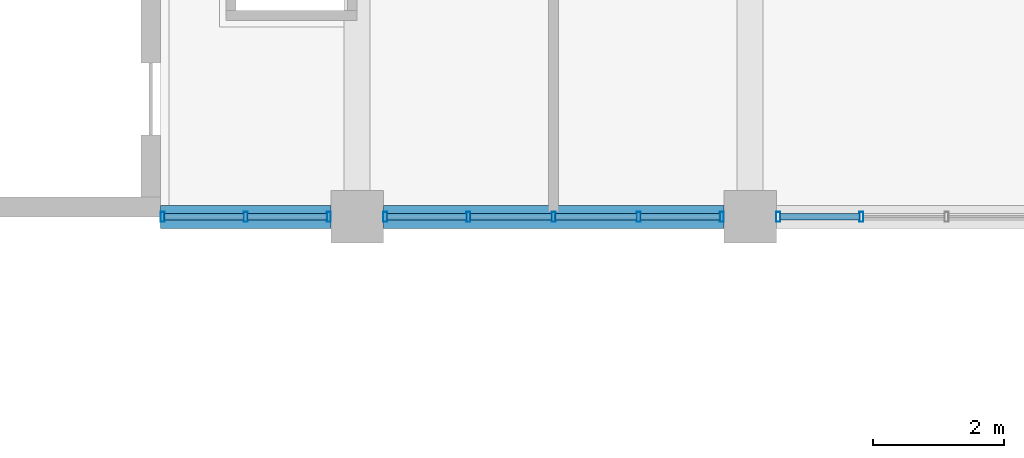
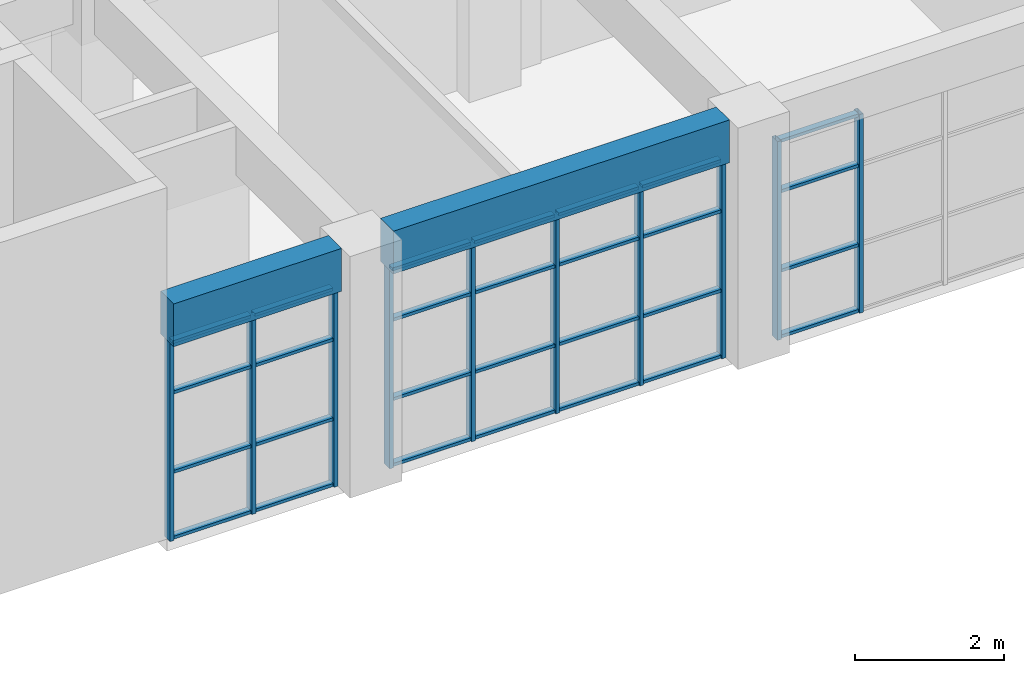
# One storey, part 4 of 51: 38 members, 2 beams, 3 elements without a shape of their own.
"""IFC4 building model written with IfcOpenShell, lengths in metres."""

from ifc_helpers import new_model, si_unit, direction, frame, origin, origin_2d, place, context, subcontext, project, spatial, rectangle, hollow_rectangle, extrude, material, material_profile, profile_set, type_object, element, aggregate, save


model = new_model("IFC4")

# Units and contexts
model_context = context("Model", 3, precision=1e-05, world=origin(), true_north=direction((0.0, 1.0)))
body_context = subcontext(model_context, "Body", "Model", "MODEL_VIEW")
ifc_project = project(units=[si_unit("LENGTHUNIT", "METRE"), si_unit("AREAUNIT", "SQUARE_METRE"), si_unit("VOLUMEUNIT", "CUBIC_METRE"), si_unit("PLANEANGLEUNIT", "RADIAN"), si_unit("MASSUNIT", "GRAM", prefix="KILO")], contexts=[model_context])

# Site, building, storey
site_placement = place(None, origin())
site = spatial("IfcSite", under=ifc_project, at=site_placement, CompositionType="ELEMENT")
building_placement = place(site_placement, origin())
building = spatial("IfcBuilding", under=site, at=building_placement, Name="Laocheng Heights Fire and Rescue Headquarters", CompositionType="ELEMENT")
storey_placement = place(building_placement, frame((0.0, 0.0, 21.0)))
storey = spatial("IfcBuildingStorey", under=building, at=storey_placement, Name="L05", CompositionType="ELEMENT", Elevation=21.0)

# Curtain wall, members
ifc_material_1 = material(Name="Dark anodised aluminium unitised curtain wall, low-e double glazing", Category="aluminium")
curtain_wall_type_1 = type_object("IfcCurtainWallType", Name="CW 2600 x 3250 HQ SOUTH RIBBON", PredefinedType="NOTDEFINED", material=ifc_material_1)
curtain_wall_1_placement = place(storey_placement, origin())
curtain_wall_1 = element("IfcCurtainWall", 1, at=curtain_wall_1_placement, inside=storey, type_object=curtain_wall_type_1, Name="X15-X HQ SOUTH L05", PredefinedType="NOTDEFINED")
ifc_material_2 = material(Name="Dark anodised aluminium 6063-T5 extrusion", Category="aluminium")
ifc_material_profile_1 = material_profile(ifc_material_2, hollow_rectangle(XDim=0.14990234375, YDim=0.06005859375, WallThickness=0.0029296875, at=origin_2d()), Name="AL MULLION 150x60x3 HQ SOUTH RIBBON")
ifc_profile_set_1 = profile_set([ifc_material_profile_1], Name="Dark anodised aluminium 6063-T5 extrusion")
member_type_1 = type_object("IfcMemberType", Name="AL MULLION 150x60x3 HQ SOUTH RIBBON", PredefinedType="MULLION", material=ifc_profile_set_1)
member_1_placement = place(storey_placement, frame((51.030029296875, 50.39990234375, 0.0), z_axis=(0.0, 0.0, 1.0), x_axis=(0.0, 1.0, 0.0)))
member_1 = element("IfcMember", 2, at=member_1_placement, type_object=member_type_1, Name="X15-X mullion 1", PredefinedType="MULLION", context=body_context, shape_type="SweptSolid", body=[
    extrude(hollow_rectangle(XDim=0.14990234375, YDim=0.06005859375, WallThickness=0.0029296875, at=origin_2d()), origin(), (0.0, 0.0, 1.0), 3.25),
])
member_2_placement = place(storey_placement, frame((52.300048828125, 50.39990234375, 0.0), z_axis=(0.0, 0.0, 1.0), x_axis=(0.0, 1.0, 0.0)))
member_2 = element("IfcMember", 3, at=member_2_placement, type_object=member_type_1, Name="X15-X mullion 2", PredefinedType="MULLION", context=body_context, shape_type="SweptSolid", body=[
    extrude(hollow_rectangle(XDim=0.14990234375, YDim=0.06005859375, WallThickness=0.0029296875, at=origin_2d()), origin(), (0.0, 0.0, 1.0), 3.25),
])
member_3_placement = place(storey_placement, frame((53.570068359375, 50.39990234375, 0.0), z_axis=(0.0, 0.0, 1.0), x_axis=(0.0, 1.0, 0.0)))
member_3 = element("IfcMember", 4, at=member_3_placement, type_object=member_type_1, Name="X15-X mullion 3", PredefinedType="MULLION", context=body_context, shape_type="SweptSolid", body=[
    extrude(hollow_rectangle(XDim=0.14990234375, YDim=0.06005859375, WallThickness=0.0029296875, at=origin_2d()), origin(), (0.0, 0.0, 1.0), 3.25),
])

ifc_material_3 = material(Name="Dark anodised aluminium unitised curtain wall, low-e double glazing", Category="aluminium")
curtain_wall_type_2 = type_object("IfcCurtainWallType", Name="CW 5200 x 3250 HQ SOUTH RIBBON", PredefinedType="NOTDEFINED", material=ifc_material_3)
curtain_wall_2_placement = place(storey_placement, origin())
curtain_wall_2 = element("IfcCurtainWall", 5, at=curtain_wall_2_placement, inside=storey, type_object=curtain_wall_type_2, Name="X16-X HQ SOUTH L05", PredefinedType="NOTDEFINED")
member_4_placement = place(storey_placement, frame((54.429931640625, 50.39990234375, 0.0), z_axis=(0.0, 0.0, 1.0), x_axis=(0.0, 1.0, 0.0)))
member_4 = element("IfcMember", 6, at=member_4_placement, type_object=member_type_1, Name="X16-X mullion 1", PredefinedType="MULLION", context=body_context, shape_type="SweptSolid", body=[
    extrude(hollow_rectangle(XDim=0.14990234375, YDim=0.06005859375, WallThickness=0.0029296875, at=origin_2d()), origin(), (0.0, 0.0, 1.0), 3.25),
])
member_5_placement = place(storey_placement, frame((55.699951171875, 50.39990234375, 0.0), z_axis=(0.0, 0.0, 1.0), x_axis=(0.0, 1.0, 0.0)))
member_5 = element("IfcMember", 7, at=member_5_placement, type_object=member_type_1, Name="X16-X mullion 2", PredefinedType="MULLION", context=body_context, shape_type="SweptSolid", body=[
    extrude(hollow_rectangle(XDim=0.14990234375, YDim=0.06005859375, WallThickness=0.0029296875, at=origin_2d()), origin(), (0.0, 0.0, 1.0), 3.25),
])
member_6_placement = place(storey_placement, frame((57.0, 50.39990234375, 0.0), z_axis=(0.0, 0.0, 1.0), x_axis=(0.0, 1.0, 0.0)))
member_6 = element("IfcMember", 8, at=member_6_placement, type_object=member_type_1, Name="X16-X mullion 3", PredefinedType="MULLION", context=body_context, shape_type="SweptSolid", body=[
    extrude(hollow_rectangle(XDim=0.14990234375, YDim=0.06005859375, WallThickness=0.0029296875, at=origin_2d()), origin(), (0.0, 0.0, 1.0), 3.25),
])
member_7_placement = place(storey_placement, frame((58.300048828125, 50.39990234375, 0.0), z_axis=(0.0, 0.0, 1.0), x_axis=(0.0, 1.0, 0.0)))
member_7 = element("IfcMember", 9, at=member_7_placement, type_object=member_type_1, Name="X16-X mullion 4", PredefinedType="MULLION", context=body_context, shape_type="SweptSolid", body=[
    extrude(hollow_rectangle(XDim=0.14990234375, YDim=0.06005859375, WallThickness=0.0029296875, at=origin_2d()), origin(), (0.0, 0.0, 1.0), 3.25),
])
member_8_placement = place(storey_placement, frame((59.570068359375, 50.39990234375, 0.0), z_axis=(0.0, 0.0, 1.0), x_axis=(0.0, 1.0, 0.0)))
member_8 = element("IfcMember", 10, at=member_8_placement, type_object=member_type_1, Name="X16-X mullion 5", PredefinedType="MULLION", context=body_context, shape_type="SweptSolid", body=[
    extrude(hollow_rectangle(XDim=0.14990234375, YDim=0.06005859375, WallThickness=0.0029296875, at=origin_2d()), origin(), (0.0, 0.0, 1.0), 3.25),
])

curtain_wall_3_placement = place(storey_placement, origin())
curtain_wall_3 = element("IfcCurtainWall", 11, at=curtain_wall_3_placement, inside=storey, type_object=curtain_wall_type_2, Name="X16-X HQ SOUTH L05", PredefinedType="NOTDEFINED")
member_9_placement = place(storey_placement, frame((60.429931640625, 50.39990234375, 0.0), z_axis=(0.0, 0.0, 1.0), x_axis=(0.0, 1.0, 0.0)))
member_9 = element("IfcMember", 12, at=member_9_placement, type_object=member_type_1, Name="X16-X mullion 1", PredefinedType="MULLION", context=body_context, shape_type="SweptSolid", body=[
    extrude(hollow_rectangle(XDim=0.14990234375, YDim=0.06005859375, WallThickness=0.0029296875, at=origin_2d()), origin(), (0.0, 0.0, 1.0), 3.25),
])
member_10_placement = place(storey_placement, frame((61.699951171875, 50.39990234375, 0.0), z_axis=(0.0, 0.0, 1.0), x_axis=(0.0, 1.0, 0.0)))
member_10 = element("IfcMember", 13, at=member_10_placement, type_object=member_type_1, Name="X16-X mullion 2", PredefinedType="MULLION", context=body_context, shape_type="SweptSolid", body=[
    extrude(hollow_rectangle(XDim=0.14990234375, YDim=0.06005859375, WallThickness=0.0029296875, at=origin_2d()), origin(), (0.0, 0.0, 1.0), 3.25),
])

# Member
ifc_material_4 = material(Name="Dark anodised aluminium 6063-T5 extrusion", Category="aluminium")
ifc_material_profile_2 = material_profile(ifc_material_4, hollow_rectangle(XDim=0.10009765625, YDim=0.050048828125, WallThickness=0.0029296875, at=origin_2d()), Name="AL TRANSOM 100x50x3 HQ SOUTH RIBBON")
ifc_profile_set_2 = profile_set([ifc_material_profile_2], Name="Dark anodised aluminium 6063-T5 extrusion")
member_type_2 = type_object("IfcMemberType", Name="AL TRANSOM 100x50x3 HQ SOUTH RIBBON", PredefinedType="USERDEFINED", material=ifc_profile_set_2)
member_11_placement = place(storey_placement, frame((51.06005859375, 50.39990234375, 0.02490234375), z_axis=(1.0, 0.0, 0.0), x_axis=(0.0, 1.0, 0.0)))
member_11 = element("IfcMember", 14, at=member_11_placement, type_object=member_type_2, Name="X15-X transom 1.1", ObjectType="TRANSOM", PredefinedType="USERDEFINED", context=body_context, shape_type="SweptSolid", body=[
    extrude(hollow_rectangle(XDim=0.10009765625, YDim=0.050048828125, WallThickness=0.0029296875, at=origin_2d()), origin(), (0.0, 0.0, 1.0), 1.2099609375),
])

member_12_placement = place(storey_placement, frame((51.06005859375, 50.39990234375, 1.10009765625), z_axis=(1.0, 0.0, 0.0), x_axis=(0.0, 1.0, 0.0)))
member_12 = element("IfcMember", 15, at=member_12_placement, type_object=member_type_2, Name="X15-X transom 1.2", ObjectType="TRANSOM", PredefinedType="USERDEFINED", context=body_context, shape_type="SweptSolid", body=[
    extrude(hollow_rectangle(XDim=0.10009765625, YDim=0.050048828125, WallThickness=0.0029296875, at=origin_2d()), origin(), (0.0, 0.0, 1.0), 1.2099609375),
])

member_13_placement = place(storey_placement, frame((51.06005859375, 50.39990234375, 2.39990234375), z_axis=(1.0, 0.0, 0.0), x_axis=(0.0, 1.0, 0.0)))
member_13 = element("IfcMember", 16, at=member_13_placement, type_object=member_type_2, Name="X15-X transom 1.3", ObjectType="TRANSOM", PredefinedType="USERDEFINED", context=body_context, shape_type="SweptSolid", body=[
    extrude(hollow_rectangle(XDim=0.10009765625, YDim=0.050048828125, WallThickness=0.0029296875, at=origin_2d()), origin(), (0.0, 0.0, 1.0), 1.2099609375),
])

member_14_placement = place(storey_placement, frame((51.06005859375, 50.39990234375, 3.22509765625), z_axis=(1.0, 0.0, 0.0), x_axis=(0.0, 1.0, 0.0)))
member_14 = element("IfcMember", 17, at=member_14_placement, type_object=member_type_2, Name="X15-X transom 1.4", ObjectType="TRANSOM", PredefinedType="USERDEFINED", context=body_context, shape_type="SweptSolid", body=[
    extrude(hollow_rectangle(XDim=0.10009765625, YDim=0.050048828125, WallThickness=0.0029296875, at=origin_2d()), origin(), (0.0, 0.0, 1.0), 1.2099609375),
])

member_15_placement = place(storey_placement, frame((52.330078125, 50.39990234375, 0.02490234375), z_axis=(1.0, 0.0, 0.0), x_axis=(0.0, 1.0, 0.0)))
member_15 = element("IfcMember", 18, at=member_15_placement, type_object=member_type_2, Name="X15-X transom 2.1", ObjectType="TRANSOM", PredefinedType="USERDEFINED", context=body_context, shape_type="SweptSolid", body=[
    extrude(hollow_rectangle(XDim=0.10009765625, YDim=0.050048828125, WallThickness=0.0029296875, at=origin_2d()), origin(), (0.0, 0.0, 1.0), 1.2099609375),
])

member_16_placement = place(storey_placement, frame((52.330078125, 50.39990234375, 1.10009765625), z_axis=(1.0, 0.0, 0.0), x_axis=(0.0, 1.0, 0.0)))
member_16 = element("IfcMember", 19, at=member_16_placement, type_object=member_type_2, Name="X15-X transom 2.2", ObjectType="TRANSOM", PredefinedType="USERDEFINED", context=body_context, shape_type="SweptSolid", body=[
    extrude(hollow_rectangle(XDim=0.10009765625, YDim=0.050048828125, WallThickness=0.0029296875, at=origin_2d()), origin(), (0.0, 0.0, 1.0), 1.2099609375),
])

member_17_placement = place(storey_placement, frame((52.330078125, 50.39990234375, 2.39990234375), z_axis=(1.0, 0.0, 0.0), x_axis=(0.0, 1.0, 0.0)))
member_17 = element("IfcMember", 20, at=member_17_placement, type_object=member_type_2, Name="X15-X transom 2.3", ObjectType="TRANSOM", PredefinedType="USERDEFINED", context=body_context, shape_type="SweptSolid", body=[
    extrude(hollow_rectangle(XDim=0.10009765625, YDim=0.050048828125, WallThickness=0.0029296875, at=origin_2d()), origin(), (0.0, 0.0, 1.0), 1.2099609375),
])

member_18_placement = place(storey_placement, frame((52.330078125, 50.39990234375, 3.22509765625), z_axis=(1.0, 0.0, 0.0), x_axis=(0.0, 1.0, 0.0)))
member_18 = element("IfcMember", 21, at=member_18_placement, type_object=member_type_2, Name="X15-X transom 2.4", ObjectType="TRANSOM", PredefinedType="USERDEFINED", context=body_context, shape_type="SweptSolid", body=[
    extrude(hollow_rectangle(XDim=0.10009765625, YDim=0.050048828125, WallThickness=0.0029296875, at=origin_2d()), origin(), (0.0, 0.0, 1.0), 1.2099609375),
])

aggregate(curtain_wall_1, [member_1, member_2, member_3, member_11, member_12, member_13, member_14, member_15, member_16, member_17, member_18])

member_19_placement = place(storey_placement, frame((54.4599609375, 50.39990234375, 0.02490234375), z_axis=(1.0, 0.0, 0.0), x_axis=(0.0, 1.0, 0.0)))
member_19 = element("IfcMember", 22, at=member_19_placement, type_object=member_type_2, Name="X16-X transom 1.1", ObjectType="TRANSOM", PredefinedType="USERDEFINED", context=body_context, shape_type="SweptSolid", body=[
    extrude(hollow_rectangle(XDim=0.10009765625, YDim=0.050048828125, WallThickness=0.0029296875, at=origin_2d()), origin(), (0.0, 0.0, 1.0), 1.2099609375),
])

member_20_placement = place(storey_placement, frame((54.4599609375, 50.39990234375, 1.10009765625), z_axis=(1.0, 0.0, 0.0), x_axis=(0.0, 1.0, 0.0)))
member_20 = element("IfcMember", 23, at=member_20_placement, type_object=member_type_2, Name="X16-X transom 1.2", ObjectType="TRANSOM", PredefinedType="USERDEFINED", context=body_context, shape_type="SweptSolid", body=[
    extrude(hollow_rectangle(XDim=0.10009765625, YDim=0.050048828125, WallThickness=0.0029296875, at=origin_2d()), origin(), (0.0, 0.0, 1.0), 1.2099609375),
])

member_21_placement = place(storey_placement, frame((54.4599609375, 50.39990234375, 2.39990234375), z_axis=(1.0, 0.0, 0.0), x_axis=(0.0, 1.0, 0.0)))
member_21 = element("IfcMember", 24, at=member_21_placement, type_object=member_type_2, Name="X16-X transom 1.3", ObjectType="TRANSOM", PredefinedType="USERDEFINED", context=body_context, shape_type="SweptSolid", body=[
    extrude(hollow_rectangle(XDim=0.10009765625, YDim=0.050048828125, WallThickness=0.0029296875, at=origin_2d()), origin(), (0.0, 0.0, 1.0), 1.2099609375),
])

member_22_placement = place(storey_placement, frame((54.4599609375, 50.39990234375, 3.22509765625), z_axis=(1.0, 0.0, 0.0), x_axis=(0.0, 1.0, 0.0)))
member_22 = element("IfcMember", 25, at=member_22_placement, type_object=member_type_2, Name="X16-X transom 1.4", ObjectType="TRANSOM", PredefinedType="USERDEFINED", context=body_context, shape_type="SweptSolid", body=[
    extrude(hollow_rectangle(XDim=0.10009765625, YDim=0.050048828125, WallThickness=0.0029296875, at=origin_2d()), origin(), (0.0, 0.0, 1.0), 1.2099609375),
])

member_23_placement = place(storey_placement, frame((55.72998046875, 50.39990234375, 0.02490234375), z_axis=(1.0, 0.0, 0.0), x_axis=(0.0, 1.0, 0.0)))
member_23 = element("IfcMember", 26, at=member_23_placement, type_object=member_type_2, Name="X16-X transom 2.1", ObjectType="TRANSOM", PredefinedType="USERDEFINED", context=body_context, shape_type="SweptSolid", body=[
    extrude(hollow_rectangle(XDim=0.10009765625, YDim=0.050048828125, WallThickness=0.0029296875, at=origin_2d()), origin(), (0.0, 0.0, 1.0), 1.239990234375),
])

member_24_placement = place(storey_placement, frame((55.72998046875, 50.39990234375, 1.10009765625), z_axis=(1.0, 0.0, 0.0), x_axis=(0.0, 1.0, 0.0)))
member_24 = element("IfcMember", 27, at=member_24_placement, type_object=member_type_2, Name="X16-X transom 2.2", ObjectType="TRANSOM", PredefinedType="USERDEFINED", context=body_context, shape_type="SweptSolid", body=[
    extrude(hollow_rectangle(XDim=0.10009765625, YDim=0.050048828125, WallThickness=0.0029296875, at=origin_2d()), origin(), (0.0, 0.0, 1.0), 1.239990234375),
])

member_25_placement = place(storey_placement, frame((55.72998046875, 50.39990234375, 2.39990234375), z_axis=(1.0, 0.0, 0.0), x_axis=(0.0, 1.0, 0.0)))
member_25 = element("IfcMember", 28, at=member_25_placement, type_object=member_type_2, Name="X16-X transom 2.3", ObjectType="TRANSOM", PredefinedType="USERDEFINED", context=body_context, shape_type="SweptSolid", body=[
    extrude(hollow_rectangle(XDim=0.10009765625, YDim=0.050048828125, WallThickness=0.0029296875, at=origin_2d()), origin(), (0.0, 0.0, 1.0), 1.239990234375),
])

member_26_placement = place(storey_placement, frame((55.72998046875, 50.39990234375, 3.22509765625), z_axis=(1.0, 0.0, 0.0), x_axis=(0.0, 1.0, 0.0)))
member_26 = element("IfcMember", 29, at=member_26_placement, type_object=member_type_2, Name="X16-X transom 2.4", ObjectType="TRANSOM", PredefinedType="USERDEFINED", context=body_context, shape_type="SweptSolid", body=[
    extrude(hollow_rectangle(XDim=0.10009765625, YDim=0.050048828125, WallThickness=0.0029296875, at=origin_2d()), origin(), (0.0, 0.0, 1.0), 1.239990234375),
])

member_27_placement = place(storey_placement, frame((57.030029296875, 50.39990234375, 0.02490234375), z_axis=(1.0, 0.0, 0.0), x_axis=(0.0, 1.0, 0.0)))
member_27 = element("IfcMember", 30, at=member_27_placement, type_object=member_type_2, Name="X16-X transom 3.1", ObjectType="TRANSOM", PredefinedType="USERDEFINED", context=body_context, shape_type="SweptSolid", body=[
    extrude(hollow_rectangle(XDim=0.10009765625, YDim=0.050048828125, WallThickness=0.0029296875, at=origin_2d()), origin(), (0.0, 0.0, 1.0), 1.239990234375),
])

member_28_placement = place(storey_placement, frame((57.030029296875, 50.39990234375, 1.10009765625), z_axis=(1.0, 0.0, 0.0), x_axis=(0.0, 1.0, 0.0)))
member_28 = element("IfcMember", 31, at=member_28_placement, type_object=member_type_2, Name="X16-X transom 3.2", ObjectType="TRANSOM", PredefinedType="USERDEFINED", context=body_context, shape_type="SweptSolid", body=[
    extrude(hollow_rectangle(XDim=0.10009765625, YDim=0.050048828125, WallThickness=0.0029296875, at=origin_2d()), origin(), (0.0, 0.0, 1.0), 1.239990234375),
])

member_29_placement = place(storey_placement, frame((57.030029296875, 50.39990234375, 2.39990234375), z_axis=(1.0, 0.0, 0.0), x_axis=(0.0, 1.0, 0.0)))
member_29 = element("IfcMember", 32, at=member_29_placement, type_object=member_type_2, Name="X16-X transom 3.3", ObjectType="TRANSOM", PredefinedType="USERDEFINED", context=body_context, shape_type="SweptSolid", body=[
    extrude(hollow_rectangle(XDim=0.10009765625, YDim=0.050048828125, WallThickness=0.0029296875, at=origin_2d()), origin(), (0.0, 0.0, 1.0), 1.239990234375),
])

member_30_placement = place(storey_placement, frame((57.030029296875, 50.39990234375, 3.22509765625), z_axis=(1.0, 0.0, 0.0), x_axis=(0.0, 1.0, 0.0)))
member_30 = element("IfcMember", 33, at=member_30_placement, type_object=member_type_2, Name="X16-X transom 3.4", ObjectType="TRANSOM", PredefinedType="USERDEFINED", context=body_context, shape_type="SweptSolid", body=[
    extrude(hollow_rectangle(XDim=0.10009765625, YDim=0.050048828125, WallThickness=0.0029296875, at=origin_2d()), origin(), (0.0, 0.0, 1.0), 1.239990234375),
])

member_31_placement = place(storey_placement, frame((58.330078125, 50.39990234375, 0.02490234375), z_axis=(1.0, 0.0, 0.0), x_axis=(0.0, 1.0, 0.0)))
member_31 = element("IfcMember", 34, at=member_31_placement, type_object=member_type_2, Name="X16-X transom 4.1", ObjectType="TRANSOM", PredefinedType="USERDEFINED", context=body_context, shape_type="SweptSolid", body=[
    extrude(hollow_rectangle(XDim=0.10009765625, YDim=0.050048828125, WallThickness=0.0029296875, at=origin_2d()), origin(), (0.0, 0.0, 1.0), 1.2099609375),
])

member_32_placement = place(storey_placement, frame((58.330078125, 50.39990234375, 1.10009765625), z_axis=(1.0, 0.0, 0.0), x_axis=(0.0, 1.0, 0.0)))
member_32 = element("IfcMember", 35, at=member_32_placement, type_object=member_type_2, Name="X16-X transom 4.2", ObjectType="TRANSOM", PredefinedType="USERDEFINED", context=body_context, shape_type="SweptSolid", body=[
    extrude(hollow_rectangle(XDim=0.10009765625, YDim=0.050048828125, WallThickness=0.0029296875, at=origin_2d()), origin(), (0.0, 0.0, 1.0), 1.2099609375),
])

member_33_placement = place(storey_placement, frame((58.330078125, 50.39990234375, 2.39990234375), z_axis=(1.0, 0.0, 0.0), x_axis=(0.0, 1.0, 0.0)))
member_33 = element("IfcMember", 36, at=member_33_placement, type_object=member_type_2, Name="X16-X transom 4.3", ObjectType="TRANSOM", PredefinedType="USERDEFINED", context=body_context, shape_type="SweptSolid", body=[
    extrude(hollow_rectangle(XDim=0.10009765625, YDim=0.050048828125, WallThickness=0.0029296875, at=origin_2d()), origin(), (0.0, 0.0, 1.0), 1.2099609375),
])

member_34_placement = place(storey_placement, frame((58.330078125, 50.39990234375, 3.22509765625), z_axis=(1.0, 0.0, 0.0), x_axis=(0.0, 1.0, 0.0)))
member_34 = element("IfcMember", 37, at=member_34_placement, type_object=member_type_2, Name="X16-X transom 4.4", ObjectType="TRANSOM", PredefinedType="USERDEFINED", context=body_context, shape_type="SweptSolid", body=[
    extrude(hollow_rectangle(XDim=0.10009765625, YDim=0.050048828125, WallThickness=0.0029296875, at=origin_2d()), origin(), (0.0, 0.0, 1.0), 1.2099609375),
])

aggregate(curtain_wall_2, [member_4, member_5, member_6, member_7, member_8, member_19, member_20, member_21, member_22, member_23, member_24, member_25, member_26, member_27, member_28, member_29, member_30, member_31, member_32, member_33, member_34])

member_35_placement = place(storey_placement, frame((60.4599609375, 50.39990234375, 0.02490234375), z_axis=(1.0, 0.0, 0.0), x_axis=(0.0, 1.0, 0.0)))
member_35 = element("IfcMember", 38, at=member_35_placement, type_object=member_type_2, Name="X16-X transom 1.1", ObjectType="TRANSOM", PredefinedType="USERDEFINED", context=body_context, shape_type="SweptSolid", body=[
    extrude(hollow_rectangle(XDim=0.10009765625, YDim=0.050048828125, WallThickness=0.0029296875, at=origin_2d()), origin(), (0.0, 0.0, 1.0), 1.2099609375),
])

member_36_placement = place(storey_placement, frame((60.4599609375, 50.39990234375, 1.10009765625), z_axis=(1.0, 0.0, 0.0), x_axis=(0.0, 1.0, 0.0)))
member_36 = element("IfcMember", 39, at=member_36_placement, type_object=member_type_2, Name="X16-X transom 1.2", ObjectType="TRANSOM", PredefinedType="USERDEFINED", context=body_context, shape_type="SweptSolid", body=[
    extrude(hollow_rectangle(XDim=0.10009765625, YDim=0.050048828125, WallThickness=0.0029296875, at=origin_2d()), origin(), (0.0, 0.0, 1.0), 1.2099609375),
])

member_37_placement = place(storey_placement, frame((60.4599609375, 50.39990234375, 2.39990234375), z_axis=(1.0, 0.0, 0.0), x_axis=(0.0, 1.0, 0.0)))
member_37 = element("IfcMember", 40, at=member_37_placement, type_object=member_type_2, Name="X16-X transom 1.3", ObjectType="TRANSOM", PredefinedType="USERDEFINED", context=body_context, shape_type="SweptSolid", body=[
    extrude(hollow_rectangle(XDim=0.10009765625, YDim=0.050048828125, WallThickness=0.0029296875, at=origin_2d()), origin(), (0.0, 0.0, 1.0), 1.2099609375),
])

member_38_placement = place(storey_placement, frame((60.4599609375, 50.39990234375, 3.22509765625), z_axis=(1.0, 0.0, 0.0), x_axis=(0.0, 1.0, 0.0)))
member_38 = element("IfcMember", 41, at=member_38_placement, type_object=member_type_2, Name="X16-X transom 1.4", ObjectType="TRANSOM", PredefinedType="USERDEFINED", context=body_context, shape_type="SweptSolid", body=[
    extrude(hollow_rectangle(XDim=0.10009765625, YDim=0.050048828125, WallThickness=0.0029296875, at=origin_2d()), origin(), (0.0, 0.0, 1.0), 1.2099609375),
])

aggregate(curtain_wall_3, [member_9, member_10, member_35, member_36, member_37, member_38])

# Beams
ifc_material_5 = material(Name="Concrete C40", Category="concrete")
ifc_material_profile_3 = material_profile(ifc_material_5, rectangle(XDim=0.35009765625, YDim=0.699951171875, at=origin_2d()), Name="RC BEAM 350x700 HQ ROOF")
ifc_profile_set_3 = profile_set([ifc_material_profile_3], Name="Concrete C40")
beam_type = type_object("IfcBeamType", Name="RC BEAM 350x700 HQ ROOF", PredefinedType="BEAM", material=ifc_profile_set_3)
beam_1_placement = place(storey_placement, frame((51.0, 50.39990234375, 3.60009765625), z_axis=(1.0, 0.0, 0.0), x_axis=(0.0, 1.0, 0.0)))
element("IfcBeam", 42, at=beam_1_placement, inside=storey, type_object=beam_type, Name="HQ beam L05", PredefinedType="BEAM", context=body_context, shape_type="SweptSolid", body=[
    extrude(rectangle(XDim=0.35009765625, YDim=0.699951171875, at=origin_2d()), origin(), (0.0, 0.0, 1.0), 2.60009765625),
])
beam_2_placement = place(storey_placement, frame((54.39990234375, 50.39990234375, 3.60009765625), z_axis=(1.0, 0.0, 0.0), x_axis=(0.0, 1.0, 0.0)))
element("IfcBeam", 43, at=beam_2_placement, inside=storey, type_object=beam_type, Name="HQ beam L05", PredefinedType="BEAM", context=body_context, shape_type="SweptSolid", body=[
    extrude(rectangle(XDim=0.35009765625, YDim=0.699951171875, at=origin_2d()), origin(), (0.0, 0.0, 1.0), 5.2001953125),
])

save(model, "model.ifc")
